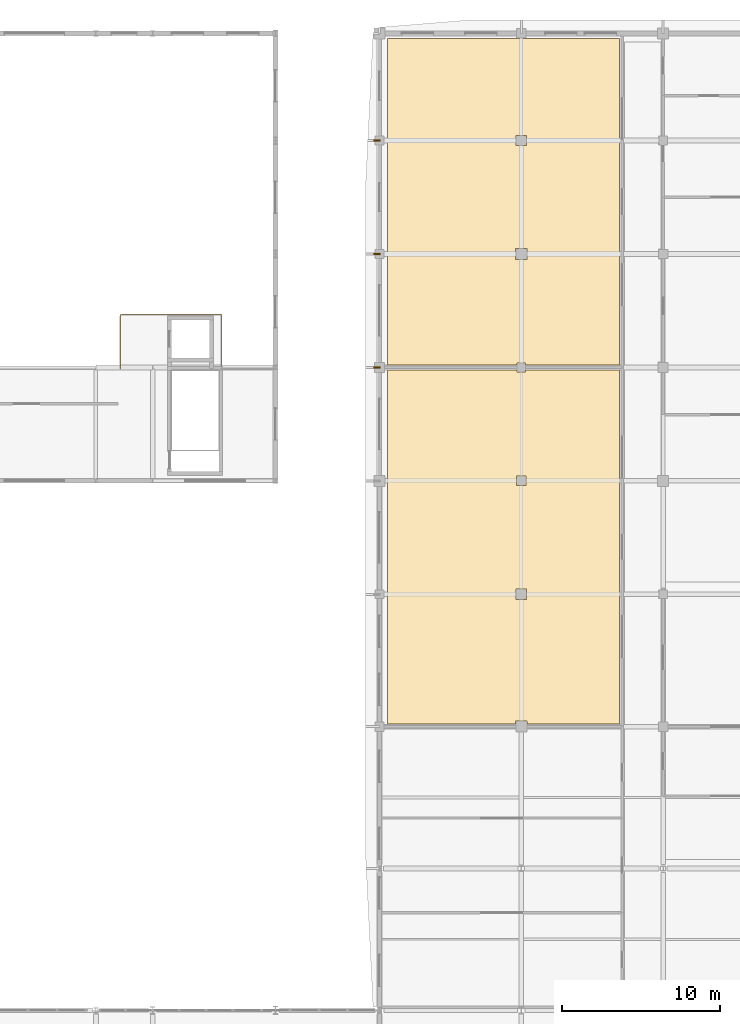
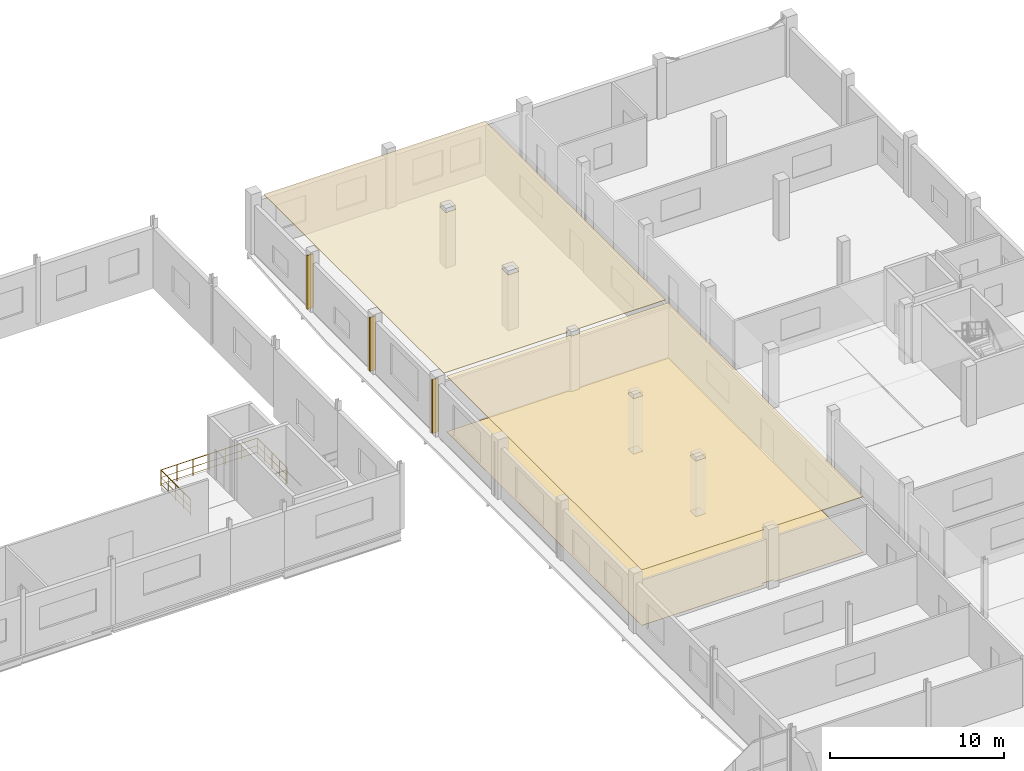
# One storey, part 119 of 121: 3 coverings, 3 shading devices, 1 railing.
"""IFC4 building model written with IfcOpenShell, lengths in metres."""

from ifc_helpers import new_model, si_unit, direction, frame, origin, origin_2d, place, context, subcontext, project, spatial, polyline, rectangle, circle, outline, extrude, material, layer, layer_set, type_object, element, save


model = new_model("IFC4")

# Units and contexts
model_context = context("Model", 3, precision=1e-05, world=origin(), true_north=direction((0.0, 1.0)))
body_context = subcontext(model_context, "Body", "Model", "MODEL_VIEW")
ifc_project = project(units=[si_unit("LENGTHUNIT", "METRE"), si_unit("AREAUNIT", "SQUARE_METRE"), si_unit("VOLUMEUNIT", "CUBIC_METRE"), si_unit("PLANEANGLEUNIT", "RADIAN"), si_unit("MASSUNIT", "GRAM", prefix="KILO")], contexts=[model_context])

# Site, building, storey
site_placement = place(None, origin())
site = spatial("IfcSite", under=ifc_project, at=site_placement, CompositionType="ELEMENT")
building_placement = place(site_placement, origin())
building = spatial("IfcBuilding", under=site, at=building_placement, Name="Vinh Khe Railworks Police Headquarters", CompositionType="ELEMENT")
storey_placement = place(building_placement, frame((0.0, 0.0, 4.800048828125)))
storey = spatial("IfcBuildingStorey", under=building, at=storey_placement, Name="L01", CompositionType="ELEMENT", Elevation=4.800048828125)

# Coverings
ifc_material_1 = material(Name="Mineral fibre acoustic ceiling tile")
ifc_layer_1 = layer(ifc_material_1, 0.034912109375)
ifc_layer_set_1 = layer_set([ifc_layer_1], Name="Mineral fibre acoustic ceiling tile")
covering_type_1 = type_object("IfcCoveringType", Name="COV-CEIL-ACOUSTIC", PredefinedType="CEILING", material=ifc_layer_set_1)
covering_1_placement = place(storey_placement, frame((0.0, 0.0, 3.89501953125)))
element("IfcCovering", 1, at=covering_1_placement, inside=storey, type_object=covering_type_1, Name="Acoustic Ceiling Forensic Chemistry Laboratory", PredefinedType="CEILING", context=body_context, shape_type="SweptSolid", body=[
    extrude(outline(polyline([(87.35498046875, 122.56005859375), (93.239990234375, 122.56005859375), (93.239990234375, 145.0400390625), (87.280029296875, 145.0400390625), (87.280029296875, 144.919921875), (86.719970703125, 144.919921875), (86.719970703125, 145.0400390625), (78.510009765625, 145.0400390625), (78.510009765625, 122.56005859375), (86.64501953125, 122.56005859375), (86.64501953125, 122.7548828125), (87.35498046875, 122.7548828125), (87.35498046875, 122.56005859375)]), holes=[polyline([(87.330078125, 130.469970703125), (86.669921875, 130.469970703125), (86.669921875, 131.1298828125), (87.330078125, 131.1298828125), (87.330078125, 130.469970703125)]), polyline([(87.304931640625, 137.695068359375), (86.695068359375, 137.695068359375), (86.695068359375, 138.304931640625), (87.304931640625, 138.304931640625), (87.304931640625, 137.695068359375)])]), origin(), (0.0, 0.0, 1.0), 0.034912109375),
])
covering_2_placement = place(storey_placement, frame((0.0, 0.0, 3.89501953125)))
element("IfcCovering", 2, at=covering_2_placement, inside=storey, type_object=covering_type_1, Name="Acoustic Ceiling Tactical Briefing Room", PredefinedType="CEILING", context=body_context, shape_type="SweptSolid", body=[
    extrude(outline(polyline([(93.239990234375, 145.360107421875), (93.239990234375, 166.080078125), (78.510009765625, 166.080078125), (78.510009765625, 145.360107421875), (86.719970703125, 145.360107421875), (86.719970703125, 145.47998046875), (87.280029296875, 145.47998046875), (87.280029296875, 145.360107421875), (93.239990234375, 145.360107421875)]), holes=[polyline([(87.35498046875, 152.044921875), (86.64501953125, 152.044921875), (86.64501953125, 152.7548828125), (87.35498046875, 152.7548828125), (87.35498046875, 152.044921875)]), polyline([(87.330078125, 159.27001953125), (86.669921875, 159.27001953125), (86.669921875, 159.929931640625), (87.330078125, 159.929931640625), (87.330078125, 159.27001953125)])]), origin(), (0.0, 0.0, 1.0), 0.034912109375),
])
ifc_material_2 = material(Name="Honed granite terrazzo flooring", Category="masonry")
ifc_layer_2 = layer(ifc_material_2, 0.02001953125)
ifc_layer_set_2 = layer_set([ifc_layer_2], Name="Honed granite terrazzo flooring")
covering_type_2 = type_object("IfcCoveringType", Name="COV-FLR-TERRAZZO", PredefinedType="FLOORING", material=ifc_layer_set_2)
covering_3_placement = place(storey_placement, origin())
element("IfcCovering", 3, at=covering_3_placement, inside=storey, type_object=covering_type_2, Name="Terrazzo Floor Finish Forensic Chemistry Laboratory", PredefinedType="FLOORING", context=body_context, shape_type="SweptSolid", body=[
    extrude(outline(polyline([(87.35498046875, 122.56005859375), (93.239990234375, 122.56005859375), (93.239990234375, 145.0400390625), (87.280029296875, 145.0400390625), (87.280029296875, 144.919921875), (86.719970703125, 144.919921875), (86.719970703125, 145.0400390625), (78.510009765625, 145.0400390625), (78.510009765625, 122.56005859375), (86.64501953125, 122.56005859375), (86.64501953125, 122.7548828125), (87.35498046875, 122.7548828125), (87.35498046875, 122.56005859375)]), holes=[polyline([(87.330078125, 130.469970703125), (86.669921875, 130.469970703125), (86.669921875, 131.1298828125), (87.330078125, 131.1298828125), (87.330078125, 130.469970703125)]), polyline([(87.304931640625, 137.695068359375), (86.695068359375, 137.695068359375), (86.695068359375, 138.304931640625), (87.304931640625, 138.304931640625), (87.304931640625, 137.695068359375)])]), origin(), (0.0, 0.0, 1.0), 0.02001953125),
])

# Railing
ifc_material_3 = material(Name="Dark steel and laminated safety glass", Category="steel")
railing_type = type_object("IfcRailingType", Name="RL-ATRIUM-1150", PredefinedType="BALUSTRADE", material=ifc_material_3)
railing_placement = place(storey_placement, frame((61.550048828125, 145.1201171875, 0.0)))
element("IfcRailing", 4, at=railing_placement, inside=storey, type_object=railing_type, Name="Atrium and Terrace Guard Balustrade GR-V3-L01-PL05L", PredefinedType="BALUSTRADE", context=body_context, shape_type="SweptSolid", body=[
    extrude(circle(Radius=0.02392578125, at=origin_2d()), frame((0.0, 0.0, 1.1259765625), z_axis=(0.0, 1.0, 0.0), x_axis=(-1.0, 0.0, 0.0)), (0.0, 0.0, 1.0), 3.429931640625),
    extrude(circle(Radius=0.01416015625, at=origin_2d()), frame((0.0, 0.0, 0.137939453125), z_axis=(0.0, 1.0, 0.0), x_axis=(-1.0, 0.0, 0.0)), (0.0, 0.0, 1.0), 3.429931640625),
    extrude(circle(Radius=0.01416015625, at=origin_2d()), frame((0.0, 0.0, 0.597900390625), z_axis=(0.0, 1.0, 0.0), x_axis=(-1.0, 0.0, 0.0)), (0.0, 0.0, 1.0), 3.429931640625),
    extrude(circle(Radius=0.02392578125, at=origin_2d()), frame((0.0, 3.429931640625, 1.1259765625), z_axis=(1.0, 0.0, 0.0), x_axis=(0.0, 1.0, 0.0)), (0.0, 0.0, 1.0), 6.39990234375),
    extrude(circle(Radius=0.01416015625, at=origin_2d()), frame((0.0, 3.429931640625, 0.137939453125), z_axis=(1.0, 0.0, 0.0), x_axis=(0.0, 1.0, 0.0)), (0.0, 0.0, 1.0), 6.39990234375),
    extrude(circle(Radius=0.01416015625, at=origin_2d()), frame((0.0, 3.429931640625, 0.597900390625), z_axis=(1.0, 0.0, 0.0), x_axis=(0.0, 1.0, 0.0)), (0.0, 0.0, 1.0), 6.39990234375),
    extrude(circle(Radius=0.02392578125, at=origin_2d()), frame((6.39990234375, 3.429931640625, 1.1259765625), z_axis=(0.0, -1.0, 0.0), x_axis=(1.0, 0.0, 0.0)), (0.0, 0.0, 1.0), 3.429931640625),
    extrude(circle(Radius=0.01416015625, at=origin_2d()), frame((6.39990234375, 3.429931640625, 0.137939453125), z_axis=(0.0, -1.0, 0.0), x_axis=(1.0, 0.0, 0.0)), (0.0, 0.0, 1.0), 3.429931640625),
    extrude(circle(Radius=0.01416015625, at=origin_2d()), frame((6.39990234375, 3.429931640625, 0.597900390625), z_axis=(0.0, -1.0, 0.0), x_axis=(1.0, 0.0, 0.0)), (0.0, 0.0, 1.0), 3.429931640625),
    extrude(circle(Radius=0.02099609375, at=origin_2d()), origin(), (0.0, 0.0, 1.0), 1.101806640625),
    extrude(circle(Radius=0.02099609375, at=origin_2d()), frame((0.0, 0.857421875, 0.0)), (0.0, 0.0, 1.0), 1.101806640625),
    extrude(circle(Radius=0.02099609375, at=origin_2d()), frame((0.0, 1.71484375, 0.0)), (0.0, 0.0, 1.0), 1.101806640625),
    extrude(circle(Radius=0.02099609375, at=origin_2d()), frame((0.0, 2.572509765625, 0.0)), (0.0, 0.0, 1.0), 1.101806640625),
    extrude(circle(Radius=0.02099609375, at=origin_2d()), frame((0.0, 3.429931640625, 0.0)), (0.0, 0.0, 1.0), 1.101806640625),
    extrude(circle(Radius=0.02099609375, at=origin_2d()), frame((1.066650390625, 3.429931640625, 0.0)), (0.0, 0.0, 1.0), 1.101806640625),
    extrude(circle(Radius=0.02099609375, at=origin_2d()), frame((2.13330078125, 3.429931640625, 0.0)), (0.0, 0.0, 1.0), 1.101806640625),
    extrude(circle(Radius=0.02099609375, at=origin_2d()), frame((3.199951171875, 3.429931640625, 0.0)), (0.0, 0.0, 1.0), 1.101806640625),
    extrude(circle(Radius=0.02099609375, at=origin_2d()), frame((4.2666015625, 3.429931640625, 0.0)), (0.0, 0.0, 1.0), 1.101806640625),
    extrude(circle(Radius=0.02099609375, at=origin_2d()), frame((5.333251953125, 3.429931640625, 0.0)), (0.0, 0.0, 1.0), 1.101806640625),
    extrude(circle(Radius=0.02099609375, at=origin_2d()), frame((6.39990234375, 3.429931640625, 0.0)), (0.0, 0.0, 1.0), 1.101806640625),
    extrude(circle(Radius=0.02099609375, at=origin_2d()), frame((6.39990234375, 2.572509765625, 0.0)), (0.0, 0.0, 1.0), 1.101806640625),
    extrude(circle(Radius=0.02099609375, at=origin_2d()), frame((6.39990234375, 1.71484375, 0.0)), (0.0, 0.0, 1.0), 1.101806640625),
    extrude(circle(Radius=0.02099609375, at=origin_2d()), frame((6.39990234375, 0.857421875, 0.0)), (0.0, 0.0, 1.0), 1.101806640625),
    extrude(circle(Radius=0.02099609375, at=origin_2d()), frame((6.39990234375, 0.0, 0.0)), (0.0, 0.0, 1.0), 1.101806640625),
])

# Shading devices
ifc_material_4 = material(Name="Salvaged ironwood timber", Category="wood")
shading_device_type = type_object("IfcShadingDeviceType", Name="SHD-MSF-01", PredefinedType="JALOUSIE", material=ifc_material_4)
for number, where, z_axis, x_axis, name in (
    (5, (77.840087890625, 145.199951171875, 0.10009765625), (0.0, 0.0, 1.0), (1.0, 0.0, 0.0), "Monsoon Court Solar Fin V6 L01-3"),
    (6, (77.840087890625, 152.39990234375, 0.10009765625), (0.0, 0.0, 1.0), (1.0, 0.0, 0.0), "Monsoon Court Solar Fin V6 L01-4"),
    (7, (77.840087890625, 159.60009765625, 0.10009765625), (0.0, 0.0, 1.0), (1.0, 0.0, 0.0), "Monsoon Court Solar Fin V6 L01-5"),
):
    element("IfcShadingDevice", number, at=place(storey_placement, frame(where, z_axis=z_axis, x_axis=x_axis)), inside=storey, type_object=shading_device_type, Name=name, PredefinedType="JALOUSIE", context=body_context, shape_type="SweptSolid", body=[
        extrude(rectangle(XDim=0.419921875, YDim=0.080078125, at=origin_2d()), origin(), (0.0, 0.0, 1.0), 3.780029296875),
    ])

save(model, "model.ifc")
